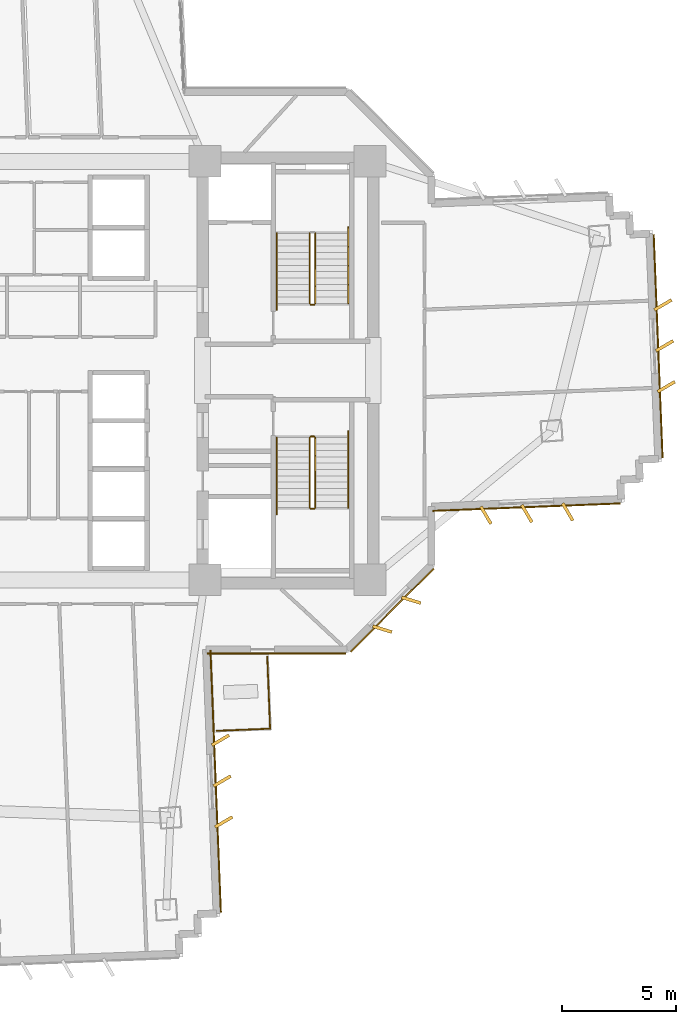
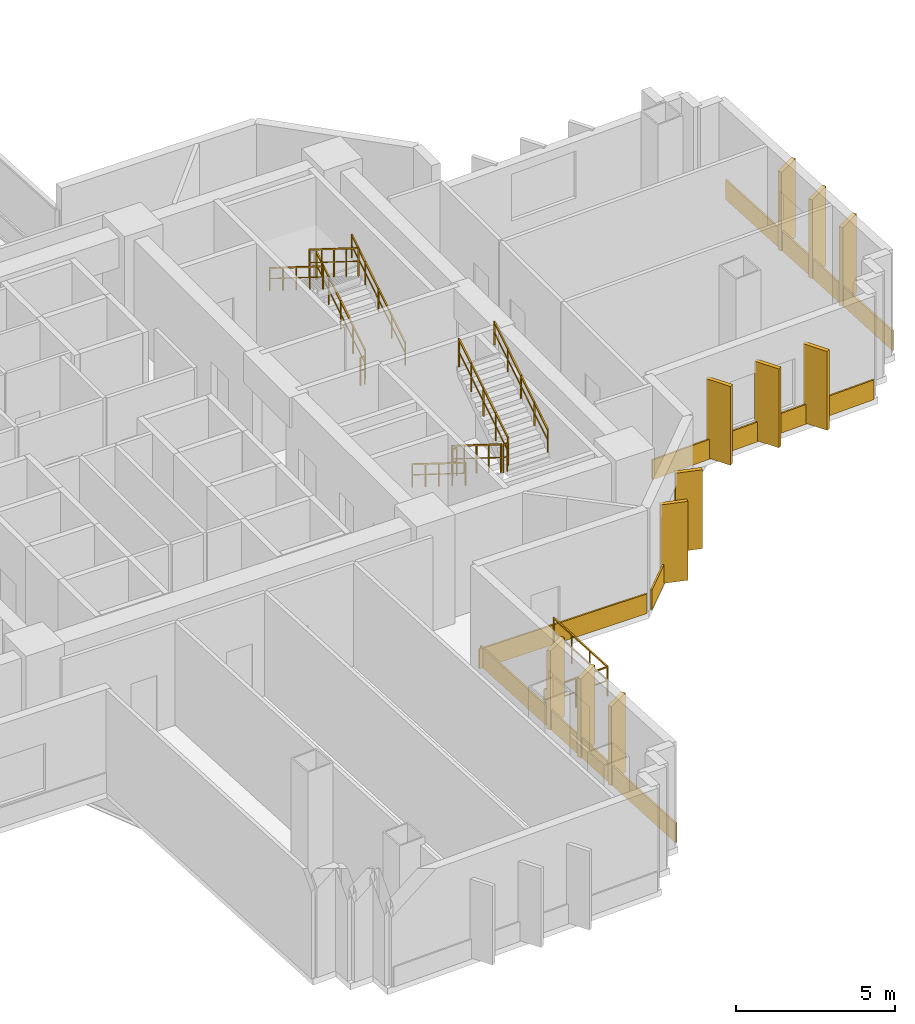
# One storey, part 14 of 16: 16 coverings, 13 railings.
"""IFC4 building model written with IfcOpenShell, lengths in metres."""

from ifc_helpers import new_model, si_unit, direction, frame, origin, origin_2d, place, context, subcontext, project, spatial, rectangle, extrude, source, transform, mapped, material, layer, layer_set, type_object, element, save


model = new_model("IFC4")

# Units and contexts
model_context = context("Model", 3, precision=1e-05, world=origin(), true_north=direction((0.0, 1.0)))
body_context = subcontext(model_context, "Body", "Model", "MODEL_VIEW")
ifc_project = project(units=[si_unit("LENGTHUNIT", "METRE"), si_unit("AREAUNIT", "SQUARE_METRE"), si_unit("VOLUMEUNIT", "CUBIC_METRE"), si_unit("PLANEANGLEUNIT", "RADIAN"), si_unit("MASSUNIT", "GRAM", prefix="KILO")], contexts=[model_context])

# Site, building, storey
site_placement = place(None, origin())
site = spatial("IfcSite", under=ifc_project, at=site_placement, CompositionType="ELEMENT")
building_placement = place(site_placement, origin())
building = spatial("IfcBuilding", under=site, at=building_placement, Name="Zahravan Cultural Tower", CompositionType="ELEMENT")
storey_placement = place(building_placement, frame((0.0, 0.0, 54.300048828125)))
storey = spatial("IfcBuildingStorey", under=building, at=storey_placement, Name="L11", CompositionType="ELEMENT", Elevation=54.300048828125)

# Railings
ifc_material_1 = material(Name="Steel ASTM A572 Grade 50", Category="steel")
railing_type_1 = type_object("IfcRailingType", Name="RL-BAL-1150", PredefinedType="BALUSTRADE", material=ifc_material_1)
railing_1_placement = place(storey_placement, frame((45.96435546875, 11.25390625, 0.0)))
element("IfcRailing", 1, at=railing_1_placement, inside=storey, type_object=railing_type_1, Name="L11 Edge Balustrade GRD-TR-L11-SE-01", PredefinedType="BALUSTRADE", context=body_context, shape_type="SweptSolid", body=[
    extrude(rectangle(XDim=0.05, YDim=0.05, at=origin_2d()), frame((0.0, 0.0, 1.125), z_axis=(-0.999208078967, -0.039789633421, 0.0), x_axis=(0.039789633421, -0.999208078967, 0.0)), (0.0, 0.0, 1.0), 2.35009765625),
    extrude(rectangle(XDim=0.032, YDim=0.032, at=origin_2d()), frame((0.0, 0.0, 0.597900390625), z_axis=(-0.999208078967, -0.039789633421, 0.0), x_axis=(0.039789633421, -0.999208078967, 0.0)), (0.0, 0.0, 1.0), 2.35009765625),
    extrude(rectangle(XDim=0.04, YDim=0.04, at=origin_2d()), origin(), (0.0, 0.0, 1.0), 1.14990234375),
    extrude(rectangle(XDim=0.04, YDim=0.04, at=origin_2d()), frame((-1.174072265625, -0.046875, 0.0)), (0.0, 0.0, 1.0), 1.14990234375),
    extrude(rectangle(XDim=0.04, YDim=0.04, at=origin_2d()), frame((-2.34814453125, -0.093505859375, 0.0)), (0.0, 0.0, 1.0), 1.14990234375),
])
railing_2_placement = place(storey_placement, frame((45.838134765625, 14.419921875, 0.0)))
element("IfcRailing", 2, at=railing_2_placement, inside=storey, type_object=railing_type_1, Name="L11 Edge Balustrade GRD-TR-L11-SE-02", PredefinedType="BALUSTRADE", context=body_context, shape_type="SweptSolid", body=[
    extrude(rectangle(XDim=0.05, YDim=0.05, at=origin_2d()), frame((0.0, 0.0, 1.125), z_axis=(0.039835720809, -0.999206242648, 0.0), x_axis=(0.999206242648, 0.039835720809, 0.0)), (0.0, 0.0, 1.0), 3.16845703125),
    extrude(rectangle(XDim=0.032, YDim=0.032, at=origin_2d()), frame((0.0, 0.0, 0.597900390625), z_axis=(0.039835720809, -0.999206242648, 0.0), x_axis=(0.999206242648, 0.039835720809, 0.0)), (0.0, 0.0, 1.0), 3.16845703125),
    extrude(rectangle(XDim=0.04, YDim=0.04, at=origin_2d()), origin(), (0.0, 0.0, 1.0), 1.14990234375),
    extrude(rectangle(XDim=0.04, YDim=0.04, at=origin_2d()), frame((0.0419921875, -1.055419921875, 0.0)), (0.0, 0.0, 1.0), 1.14990234375),
    extrude(rectangle(XDim=0.04, YDim=0.04, at=origin_2d()), frame((0.084228515625, -2.110595703125, 0.0)), (0.0, 0.0, 1.0), 1.14990234375),
    extrude(rectangle(XDim=0.04, YDim=0.04, at=origin_2d()), frame((0.126220703125, -3.166015625, 0.0)), (0.0, 0.0, 1.0), 1.14990234375),
])
railing_type_2 = type_object("IfcRailingType", Name="RL-STAIR-GRD1150", PredefinedType="BALUSTRADE", material=ifc_material_1)
railing_3_placement = place(storey_placement, frame((47.949951171875, 29.949951171875, 0.175048828125)))
element("IfcRailing", 3, at=railing_3_placement, inside=storey, type_object=railing_type_2, Name="L11 ST-E1 stair guard 1", PredefinedType="BALUSTRADE", context=body_context, shape_type="SweptSolid", body=[
    extrude(rectangle(XDim=0.05, YDim=0.05, at=origin_2d()), frame((0.0, 0.0, 1.0751953125), z_axis=(0.0, 0.848028513186, 0.529950602248), x_axis=(-1.0, 0.0, 0.0)), (0.0, 0.0, 1.0), 3.632080078125),
    extrude(rectangle(XDim=0.032, YDim=0.032, at=origin_2d()), frame((0.0, 0.0, 0.572021484375), z_axis=(0.0, 0.848028513186, 0.529950602248), x_axis=(-1.0, 0.0, 0.0)), (0.0, 0.0, 1.0), 3.632080078125),
    extrude(rectangle(XDim=0.04, YDim=0.04, at=origin_2d()), origin(), (0.0, 0.0, 1.0), 1.10009765625),
    extrude(rectangle(XDim=0.04, YDim=0.04, at=origin_2d()), frame((0.0, 0.77001953125, 0.481201171875)), (0.0, 0.0, 1.0), 1.10009765625),
    extrude(rectangle(XDim=0.04, YDim=0.04, at=origin_2d()), frame((0.0, 1.5400390625, 0.96240234375)), (0.0, 0.0, 1.0), 1.10009765625),
    extrude(rectangle(XDim=0.04, YDim=0.04, at=origin_2d()), frame((0.0, 2.31005859375, 1.443603515625)), (0.0, 0.0, 1.0), 1.10009765625),
    extrude(rectangle(XDim=0.04, YDim=0.04, at=origin_2d()), frame((0.0, 3.080078125, 1.9248046875)), (0.0, 0.0, 1.0), 1.10009765625),
])
railing_4_placement = place(storey_placement, frame((47.699951171875, 33.030029296875, 2.27490234375)))
element("IfcRailing", 4, at=railing_4_placement, inside=storey, type_object=railing_type_2, Name="L11 ST-E1 stair guard 3", PredefinedType="BALUSTRADE", context=body_context, shape_type="SweptSolid", body=[
    extrude(rectangle(XDim=0.05, YDim=0.05, at=origin_2d()), frame((0.0, 0.0, 1.0751953125), z_axis=(0.0, -0.847998304005, 0.529998940003), x_axis=(1.0, 0.0, 0.0)), (0.0, 0.0, 1.0), 3.632080078125),
    extrude(rectangle(XDim=0.032, YDim=0.032, at=origin_2d()), frame((0.0, 0.0, 0.572021484375), z_axis=(0.0, -0.847998304005, 0.529998940003), x_axis=(1.0, 0.0, 0.0)), (0.0, 0.0, 1.0), 3.632080078125),
    extrude(rectangle(XDim=0.04, YDim=0.04, at=origin_2d()), origin(), (0.0, 0.0, 1.0), 1.10009765625),
    extrude(rectangle(XDim=0.04, YDim=0.04, at=origin_2d()), frame((0.0, -0.77001953125, 0.481201171875)), (0.0, 0.0, 1.0), 1.10009765625),
    extrude(rectangle(XDim=0.04, YDim=0.04, at=origin_2d()), frame((0.0, -1.5400390625, 0.96240234375)), (0.0, 0.0, 1.0), 1.10009765625),
    extrude(rectangle(XDim=0.04, YDim=0.04, at=origin_2d()), frame((0.0, -2.31005859375, 1.44384765625)), (0.0, 0.0, 1.0), 1.10009765625),
    extrude(rectangle(XDim=0.04, YDim=0.04, at=origin_2d()), frame((0.0, -3.080078125, 1.925048828125)), (0.0, 0.0, 1.0), 1.10009765625),
])
railing_5_placement = place(storey_placement, frame((47.89990234375, 29.89990234375, 0.0)))
element("IfcRailing", 5, at=railing_5_placement, inside=storey, type_object=railing_type_2, Name="L11 ST-E1 stair guard 4", PredefinedType="BALUSTRADE", context=body_context, shape_type="SweptSolid", body=[
    extrude(rectangle(XDim=0.05, YDim=0.05, at=origin_2d()), frame((0.0, 0.0, 1.0751953125), z_axis=(-1.0, 0.0, 0.0), x_axis=(0.0, -1.0, 0.0)), (0.0, 0.0, 1.0), 0.14990234375),
    extrude(rectangle(XDim=0.032, YDim=0.032, at=origin_2d()), frame((0.0, 0.0, 0.572021484375), z_axis=(-1.0, 0.0, 0.0), x_axis=(0.0, -1.0, 0.0)), (0.0, 0.0, 1.0), 0.14990234375),
    extrude(rectangle(XDim=0.04, YDim=0.04, at=origin_2d()), origin(), (0.0, 0.0, 1.0), 1.10009765625),
    extrude(rectangle(XDim=0.04, YDim=0.04, at=origin_2d()), frame((-0.14990234375, 0.0, 0.0)), (0.0, 0.0, 1.0), 1.10009765625),
])
railing_6_placement = place(storey_placement, frame((47.699951171875, 24.050048828125, 0.175048828125)))
element("IfcRailing", 6, at=railing_6_placement, inside=storey, type_object=railing_type_2, Name="L11 ST-E2 stair guard 1", PredefinedType="BALUSTRADE", context=body_context, shape_type="SweptSolid", body=[
    extrude(rectangle(XDim=0.05, YDim=0.05, at=origin_2d()), frame((0.0, 0.0, 1.0751953125), z_axis=(0.0, -0.848028513186, 0.529950602248), x_axis=(1.0, 0.0, 0.0)), (0.0, 0.0, 1.0), 3.632080078125),
    extrude(rectangle(XDim=0.032, YDim=0.032, at=origin_2d()), frame((0.0, 0.0, 0.572021484375), z_axis=(0.0, -0.848028513186, 0.529950602248), x_axis=(1.0, 0.0, 0.0)), (0.0, 0.0, 1.0), 3.632080078125),
    extrude(rectangle(XDim=0.04, YDim=0.04, at=origin_2d()), origin(), (0.0, 0.0, 1.0), 1.10009765625),
    extrude(rectangle(XDim=0.04, YDim=0.04, at=origin_2d()), frame((0.0, -0.77001953125, 0.481201171875)), (0.0, 0.0, 1.0), 1.10009765625),
    extrude(rectangle(XDim=0.04, YDim=0.04, at=origin_2d()), frame((0.0, -1.5400390625, 0.96240234375)), (0.0, 0.0, 1.0), 1.10009765625),
    extrude(rectangle(XDim=0.04, YDim=0.04, at=origin_2d()), frame((0.0, -2.31005859375, 1.443603515625)), (0.0, 0.0, 1.0), 1.10009765625),
    extrude(rectangle(XDim=0.04, YDim=0.04, at=origin_2d()), frame((0.0, -3.080078125, 1.9248046875)), (0.0, 0.0, 1.0), 1.10009765625),
])
railing_7_placement = place(storey_placement, frame((47.75, 20.919921875, 2.099853515625)))
element("IfcRailing", 7, at=railing_7_placement, inside=storey, type_object=railing_type_2, Name="L11 ST-E2 stair guard 2", PredefinedType="BALUSTRADE", context=body_context, shape_type="SweptSolid", body=[
    extrude(rectangle(XDim=0.05, YDim=0.05, at=origin_2d()), frame((0.0, 0.0, 1.0751953125), z_axis=(1.0, 0.0, 0.0), x_axis=(0.0, 1.0, 0.0)), (0.0, 0.0, 1.0), 0.14990234375),
    extrude(rectangle(XDim=0.032, YDim=0.032, at=origin_2d()), frame((0.0, 0.0, 0.572021484375), z_axis=(1.0, 0.0, 0.0), x_axis=(0.0, 1.0, 0.0)), (0.0, 0.0, 1.0), 0.14990234375),
    extrude(rectangle(XDim=0.04, YDim=0.04, at=origin_2d()), origin(), (0.0, 0.0, 1.0), 1.10009765625),
    extrude(rectangle(XDim=0.04, YDim=0.04, at=origin_2d()), frame((0.14990234375, 0.0, 0.0)), (0.0, 0.0, 1.0), 1.10009765625),
])
railing_8_placement = place(storey_placement, frame((47.949951171875, 20.969970703125, 2.27490234375)))
element("IfcRailing", 8, at=railing_8_placement, inside=storey, type_object=railing_type_2, Name="L11 ST-E2 stair guard 3", PredefinedType="BALUSTRADE", context=body_context, shape_type="SweptSolid", body=[
    extrude(rectangle(XDim=0.05, YDim=0.05, at=origin_2d()), frame((0.0, 0.0, 1.0751953125), z_axis=(0.0, 0.847998304005, 0.529998940003), x_axis=(-1.0, 0.0, 0.0)), (0.0, 0.0, 1.0), 3.632080078125),
    extrude(rectangle(XDim=0.032, YDim=0.032, at=origin_2d()), frame((0.0, 0.0, 0.572021484375), z_axis=(0.0, 0.847998304005, 0.529998940003), x_axis=(-1.0, 0.0, 0.0)), (0.0, 0.0, 1.0), 3.632080078125),
    extrude(rectangle(XDim=0.04, YDim=0.04, at=origin_2d()), origin(), (0.0, 0.0, 1.0), 1.10009765625),
    extrude(rectangle(XDim=0.04, YDim=0.04, at=origin_2d()), frame((0.0, 0.77001953125, 0.481201171875)), (0.0, 0.0, 1.0), 1.10009765625),
    extrude(rectangle(XDim=0.04, YDim=0.04, at=origin_2d()), frame((0.0, 1.5400390625, 0.96240234375)), (0.0, 0.0, 1.0), 1.10009765625),
    extrude(rectangle(XDim=0.04, YDim=0.04, at=origin_2d()), frame((0.0, 2.31005859375, 1.44384765625)), (0.0, 0.0, 1.0), 1.10009765625),
    extrude(rectangle(XDim=0.04, YDim=0.04, at=origin_2d()), frame((0.0, 3.080078125, 1.925048828125)), (0.0, 0.0, 1.0), 1.10009765625),
])
railing_9_placement = place(storey_placement, frame((47.75, 24.10009765625, 0.0)))
element("IfcRailing", 9, at=railing_9_placement, inside=storey, type_object=railing_type_2, Name="L11 ST-E2 stair guard 4", PredefinedType="BALUSTRADE", context=body_context, shape_type="SweptSolid", body=[
    extrude(rectangle(XDim=0.05, YDim=0.05, at=origin_2d()), frame((0.0, 0.0, 1.0751953125), z_axis=(1.0, 0.0, 0.0), x_axis=(0.0, 1.0, 0.0)), (0.0, 0.0, 1.0), 0.14990234375),
    extrude(rectangle(XDim=0.032, YDim=0.032, at=origin_2d()), frame((0.0, 0.0, 0.572021484375), z_axis=(1.0, 0.0, 0.0), x_axis=(0.0, 1.0, 0.0)), (0.0, 0.0, 1.0), 0.14990234375),
    extrude(rectangle(XDim=0.04, YDim=0.04, at=origin_2d()), origin(), (0.0, 0.0, 1.0), 1.10009765625),
    extrude(rectangle(XDim=0.04, YDim=0.04, at=origin_2d()), frame((0.14990234375, 0.0, 0.0)), (0.0, 0.0, 1.0), 1.10009765625),
])
railing_type_3 = type_object("IfcRailingType", Name="RL-STAIR-HR900", PredefinedType="HANDRAIL", material=ifc_material_1)
railing_10_placement = place(storey_placement, frame((49.39990234375, 29.949951171875, 0.175048828125)))
element("IfcRailing", 10, at=railing_10_placement, inside=storey, type_object=railing_type_3, Name="L11 ST-E1 stair handrail 1", PredefinedType="HANDRAIL", context=body_context, shape_type="SweptSolid", body=[
    extrude(rectangle(XDim=0.05, YDim=0.05, at=origin_2d()), frame((0.0, 0.0, 0.875), z_axis=(0.0, 0.848022534174, 0.529960169762), x_axis=(-1.0, 0.0, 0.0)), (0.0, 0.0, 1.0), 3.96240234375),
    extrude(rectangle(XDim=0.032, YDim=0.032, at=origin_2d()), frame((0.0, 0.0, 0.468017578125), z_axis=(0.0, 0.848022534174, 0.529960169762), x_axis=(-1.0, 0.0, 0.0)), (0.0, 0.0, 1.0), 3.96240234375),
    extrude(rectangle(XDim=0.04, YDim=0.04, at=origin_2d()), origin(), (0.0, 0.0, 1.0), 0.89990234375),
    extrude(rectangle(XDim=0.04, YDim=0.04, at=origin_2d()), frame((0.0, 0.840087890625, 0.52490234375)), (0.0, 0.0, 1.0), 0.89990234375),
    extrude(rectangle(XDim=0.04, YDim=0.04, at=origin_2d()), frame((0.0, 1.68017578125, 1.0498046875)), (0.0, 0.0, 1.0), 0.89990234375),
    extrude(rectangle(XDim=0.04, YDim=0.04, at=origin_2d()), frame((0.0, 2.52001953125, 1.574951171875)), (0.0, 0.0, 1.0), 0.89990234375),
    extrude(rectangle(XDim=0.04, YDim=0.04, at=origin_2d()), frame((0.0, 3.360107421875, 2.099853515625)), (0.0, 0.0, 1.0), 0.89990234375),
])
railing_11_placement = place(storey_placement, frame((46.25, 33.030029296875, 2.27490234375)))
element("IfcRailing", 11, at=railing_11_placement, inside=storey, type_object=railing_type_3, Name="L11 ST-E1 stair handrail 2", PredefinedType="HANDRAIL", context=body_context, shape_type="SweptSolid", body=[
    extrude(rectangle(XDim=0.05, YDim=0.05, at=origin_2d()), frame((0.0, 0.0, 0.875), z_axis=(0.0, -0.847994842521, 0.530004478338), x_axis=(1.0, 0.0, 0.0)), (0.0, 0.0, 1.0), 3.96240234375),
    extrude(rectangle(XDim=0.032, YDim=0.032, at=origin_2d()), frame((0.0, 0.0, 0.468017578125), z_axis=(0.0, -0.847994842521, 0.530004478338), x_axis=(1.0, 0.0, 0.0)), (0.0, 0.0, 1.0), 3.96240234375),
    extrude(rectangle(XDim=0.04, YDim=0.04, at=origin_2d()), origin(), (0.0, 0.0, 1.0), 0.89990234375),
    extrude(rectangle(XDim=0.04, YDim=0.04, at=origin_2d()), frame((0.0, -0.840087890625, 0.52490234375)), (0.0, 0.0, 1.0), 0.89990234375),
    extrude(rectangle(XDim=0.04, YDim=0.04, at=origin_2d()), frame((0.0, -1.68017578125, 1.050048828125)), (0.0, 0.0, 1.0), 0.89990234375),
    extrude(rectangle(XDim=0.04, YDim=0.04, at=origin_2d()), frame((0.0, -2.52001953125, 1.5751953125)), (0.0, 0.0, 1.0), 0.89990234375),
    extrude(rectangle(XDim=0.04, YDim=0.04, at=origin_2d()), frame((0.0, -3.360107421875, 2.10009765625)), (0.0, 0.0, 1.0), 0.89990234375),
])
railing_12_placement = place(storey_placement, frame((46.25, 24.050048828125, 0.175048828125)))
element("IfcRailing", 12, at=railing_12_placement, inside=storey, type_object=railing_type_3, Name="L11 ST-E2 stair handrail 1", PredefinedType="HANDRAIL", context=body_context, shape_type="SweptSolid", body=[
    extrude(rectangle(XDim=0.05, YDim=0.05, at=origin_2d()), frame((0.0, 0.0, 0.875), z_axis=(0.0, -0.848022534174, 0.529960169762), x_axis=(1.0, 0.0, 0.0)), (0.0, 0.0, 1.0), 3.96240234375),
    extrude(rectangle(XDim=0.032, YDim=0.032, at=origin_2d()), frame((0.0, 0.0, 0.468017578125), z_axis=(0.0, -0.848022534174, 0.529960169762), x_axis=(1.0, 0.0, 0.0)), (0.0, 0.0, 1.0), 3.96240234375),
    extrude(rectangle(XDim=0.04, YDim=0.04, at=origin_2d()), origin(), (0.0, 0.0, 1.0), 0.89990234375),
    extrude(rectangle(XDim=0.04, YDim=0.04, at=origin_2d()), frame((0.0, -0.840087890625, 0.52490234375)), (0.0, 0.0, 1.0), 0.89990234375),
    extrude(rectangle(XDim=0.04, YDim=0.04, at=origin_2d()), frame((0.0, -1.68017578125, 1.0498046875)), (0.0, 0.0, 1.0), 0.89990234375),
    extrude(rectangle(XDim=0.04, YDim=0.04, at=origin_2d()), frame((0.0, -2.52001953125, 1.574951171875)), (0.0, 0.0, 1.0), 0.89990234375),
    extrude(rectangle(XDim=0.04, YDim=0.04, at=origin_2d()), frame((0.0, -3.360107421875, 2.099853515625)), (0.0, 0.0, 1.0), 0.89990234375),
])
railing_13_placement = place(storey_placement, frame((49.39990234375, 20.969970703125, 2.27490234375)))
element("IfcRailing", 13, at=railing_13_placement, inside=storey, type_object=railing_type_3, Name="L11 ST-E2 stair handrail 2", PredefinedType="HANDRAIL", context=body_context, shape_type="SweptSolid", body=[
    extrude(rectangle(XDim=0.05, YDim=0.05, at=origin_2d()), frame((0.0, 0.0, 0.875), z_axis=(0.0, 0.847994842521, 0.530004478338), x_axis=(-1.0, 0.0, 0.0)), (0.0, 0.0, 1.0), 3.96240234375),
    extrude(rectangle(XDim=0.032, YDim=0.032, at=origin_2d()), frame((0.0, 0.0, 0.468017578125), z_axis=(0.0, 0.847994842521, 0.530004478338), x_axis=(-1.0, 0.0, 0.0)), (0.0, 0.0, 1.0), 3.96240234375),
    extrude(rectangle(XDim=0.04, YDim=0.04, at=origin_2d()), origin(), (0.0, 0.0, 1.0), 0.89990234375),
    extrude(rectangle(XDim=0.04, YDim=0.04, at=origin_2d()), frame((0.0, 0.840087890625, 0.52490234375)), (0.0, 0.0, 1.0), 0.89990234375),
    extrude(rectangle(XDim=0.04, YDim=0.04, at=origin_2d()), frame((0.0, 1.68017578125, 1.050048828125)), (0.0, 0.0, 1.0), 0.89990234375),
    extrude(rectangle(XDim=0.04, YDim=0.04, at=origin_2d()), frame((0.0, 2.52001953125, 1.5751953125)), (0.0, 0.0, 1.0), 0.89990234375),
    extrude(rectangle(XDim=0.04, YDim=0.04, at=origin_2d()), frame((0.0, 3.360107421875, 2.10009765625)), (0.0, 0.0, 1.0), 0.89990234375),
])

# Coverings
ifc_material_2 = material(Name="Terracotta ceramic cladding", Category="masonry")
ifc_layer = layer(ifc_material_2, 0.06005859375)
ifc_layer_set = layer_set([ifc_layer], Name="Terracotta ceramic cladding")
covering_type = type_object("IfcCoveringType", Name="COV-CLAD-TC60", PredefinedType="CLADDING", material=ifc_layer_set)
shared_shape_1 = source(origin(), body_context, "Body", "SweptSolid", [
    extrude(rectangle(XDim=9.820068359375, YDim=0.06005859375, at=origin_2d()), origin(), (0.0, 0.0, 1.0), 0.760009765625),
])
covering_1_placement = place(storey_placement, frame((63.023681640625, 28.075927734375, 0.02001953125), z_axis=(0.0, 0.0, 1.0), x_axis=(0.039783005453, -0.999208342878, 0.0)))
element("IfcCovering", 14, at=covering_1_placement, inside=storey, type_object=covering_type, Name="L11 Terracotta Spandrel Cladding 06", PredefinedType="CLADDING", context=body_context, shape_type="MappedRepresentation", body=[
    mapped(shared_shape_1, transform((0.0, 0.0, 0.0), x_axis=(1.0, 0.0, 0.0), y_axis=(0.0, 1.0, 0.0), z_axis=(0.0, 0.0, 1.0), scale=1.0)),
])
shared_shape_2 = source(origin(), body_context, "Body", "SweptSolid", [
    extrude(rectangle(XDim=5.157958984375, YDim=0.06005859375, at=origin_2d()), origin(), (0.0, 0.0, 1.0), 0.760009765625),
])
covering_2_placement = place(storey_placement, frame((51.331787109375, 16.46826171875, 0.02001953125), z_axis=(0.0, 0.0, 1.0), x_axis=(-0.707106781187, -0.707106781187, 0.0)))
element("IfcCovering", 15, at=covering_2_placement, inside=storey, type_object=covering_type, Name="L11 Terracotta Spandrel Cladding 13", PredefinedType="CLADDING", context=body_context, shape_type="MappedRepresentation", body=[
    mapped(shared_shape_2, transform((0.0, 0.0, 0.0), x_axis=(1.0, 0.0, 0.0), y_axis=(0.0, 1.0, 0.0), z_axis=(0.0, 0.0, 1.0), scale=1.0)),
])
shared_shape_3 = source(origin(), body_context, "Body", "SweptSolid", [
    extrude(rectangle(XDim=0.8798828125, YDim=0.139892578125, at=origin_2d()), origin(), (0.0, 0.0, 1.0), 3.030029296875),
])
for number, where, z_axis, x_axis, name in (
    (16, (63.23681640625, 29.8857421875, 0.0498046875), (0.0, 0.0, 1.0), (0.863571611366, 0.504226211181, 0.0), "L11 Herringbone Terracotta Fin 04"),
    (17, (63.308349609375, 28.087158203125, 0.0498046875), (0.0, 0.0, 1.0), (0.863571611366, 0.504226211181, 0.0), "L11 Herringbone Terracotta Fin 05"),
    (18, (63.3798828125, 26.288818359375, 0.0498046875), (0.0, 0.0, 1.0), (0.863571611366, 0.504226211181, 0.0), "L11 Herringbone Terracotta Fin 06"),
    (19, (59.0498046875, 20.781982421875, 0.0498046875), (0.0, 0.0, 1.0), (0.504226211181, -0.863571611366, 0.0), "L11 Herringbone Terracotta Fin 07"),
    (20, (57.251220703125, 20.71044921875, 0.0498046875), (0.0, 0.0, 1.0), (0.504226211181, -0.863571611366, 0.0), "L11 Herringbone Terracotta Fin 08"),
    (21, (55.45263671875, 20.638916015625, 0.0498046875), (0.0, 0.0, 1.0), (0.504226211181, -0.863571611366, 0.0), "L11 Herringbone Terracotta Fin 09"),
    (22, (52.169677734375, 16.903076171875, 0.0498046875), (0.0, 0.0, 1.0), (0.956304755963, -0.292371704723, 0.0), "L11 Herringbone Terracotta Fin 10"),
    (23, (50.89697265625, 15.63037109375, 0.0498046875), (0.0, 0.0, 1.0), (0.956304755963, -0.292371704723, 0.0), "L11 Herringbone Terracotta Fin 11"),
    (24, (43.78271484375, 10.749267578125, 0.0498046875), (0.0, 0.0, 1.0), (0.863571611366, 0.504226211181, 0.0), "L11 Herringbone Terracotta Fin 12"),
    (25, (43.854248046875, 8.95068359375, 0.0498046875), (0.0, 0.0, 1.0), (0.863571611366, 0.504226211181, 0.0), "L11 Herringbone Terracotta Fin 13"),
    (26, (43.92578125, 7.152099609375, 0.0498046875), (0.0, 0.0, 1.0), (0.863571611366, 0.504226211181, 0.0), "L11 Herringbone Terracotta Fin 14"),
):
    element("IfcCovering", number, at=place(storey_placement, frame(where, z_axis=z_axis, x_axis=x_axis)), inside=storey, type_object=covering_type, Name=name, PredefinedType="CLADDING", context=body_context, shape_type="MappedRepresentation", body=[
        mapped(shared_shape_3, transform((0.0, 0.0, 0.0), x_axis=(1.0, 0.0, 0.0), y_axis=(0.0, 1.0, 0.0), z_axis=(0.0, 0.0, 1.0), scale=1.0)),
    ])
shared_shape_4 = source(origin(), body_context, "Body", "SweptSolid", [
    extrude(rectangle(XDim=8.251708984375, YDim=0.06005859375, at=origin_2d()), origin(), (0.0, 0.0, 1.0), 0.760009765625),
])
covering_3_placement = place(storey_placement, frame((57.239990234375, 20.9951171875, 0.02001953125), z_axis=(0.0, 0.0, 1.0), x_axis=(-0.999208342878, -0.039783005453, 0.0)))
element("IfcCovering", 27, at=covering_3_placement, inside=storey, type_object=covering_type, Name="L11 Terracotta Spandrel Cladding 11", PredefinedType="CLADDING", context=body_context, shape_type="MappedRepresentation", body=[
    mapped(shared_shape_4, transform((0.0, 0.0, 0.0), x_axis=(1.0, 0.0, 0.0), y_axis=(0.0, 1.0, 0.0), z_axis=(0.0, 0.0, 1.0), scale=1.0)),
])
shared_shape_5 = source(origin(), body_context, "Body", "SweptSolid", [
    extrude(rectangle(XDim=6.088623046875, YDim=0.06005859375, at=origin_2d()), origin(), (0.0, 0.0, 1.0), 0.760009765625),
])
covering_4_placement = place(storey_placement, frame((46.247802734375, 14.554931640625, 0.02001953125), z_axis=(0.0, 0.0, 1.0), x_axis=(-1.0, 0.0, 0.0)))
element("IfcCovering", 28, at=covering_4_placement, inside=storey, type_object=covering_type, Name="L11 Terracotta Spandrel Cladding 14", PredefinedType="CLADDING", context=body_context, shape_type="MappedRepresentation", body=[
    mapped(shared_shape_5, transform((0.0, 0.0, 0.0), x_axis=(1.0, 0.0, 0.0), y_axis=(0.0, 1.0, 0.0), z_axis=(0.0, 0.0, 1.0), scale=1.0)),
])
shared_shape_6 = source(origin(), body_context, "Body", "SweptSolid", [
    extrude(rectangle(XDim=11.525146484375, YDim=0.06005859375, at=origin_2d()), origin(), (0.0, 0.0, 1.0), 0.760009765625),
])
covering_5_placement = place(storey_placement, frame((43.5693359375, 8.939453125, 0.02001953125), z_axis=(0.0, 0.0, 1.0), x_axis=(0.039783005453, -0.999208342878, 0.0)))
element("IfcCovering", 29, at=covering_5_placement, inside=storey, type_object=covering_type, Name="L11 Terracotta Spandrel Cladding 15", PredefinedType="CLADDING", context=body_context, shape_type="MappedRepresentation", body=[
    mapped(shared_shape_6, transform((0.0, 0.0, 0.0), x_axis=(1.0, 0.0, 0.0), y_axis=(0.0, 1.0, 0.0), z_axis=(0.0, 0.0, 1.0), scale=1.0)),
])

save(model, "model.ifc")
